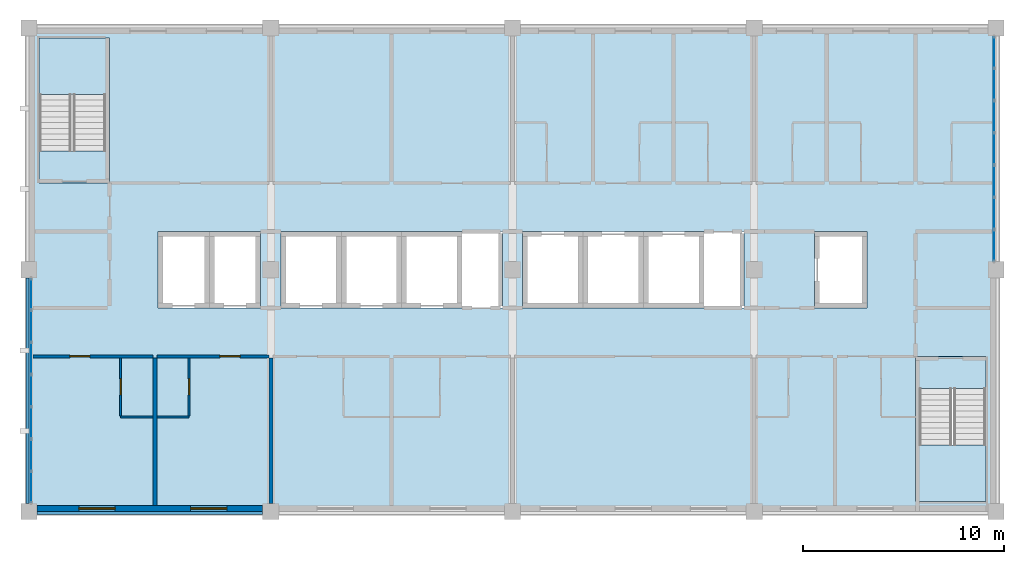
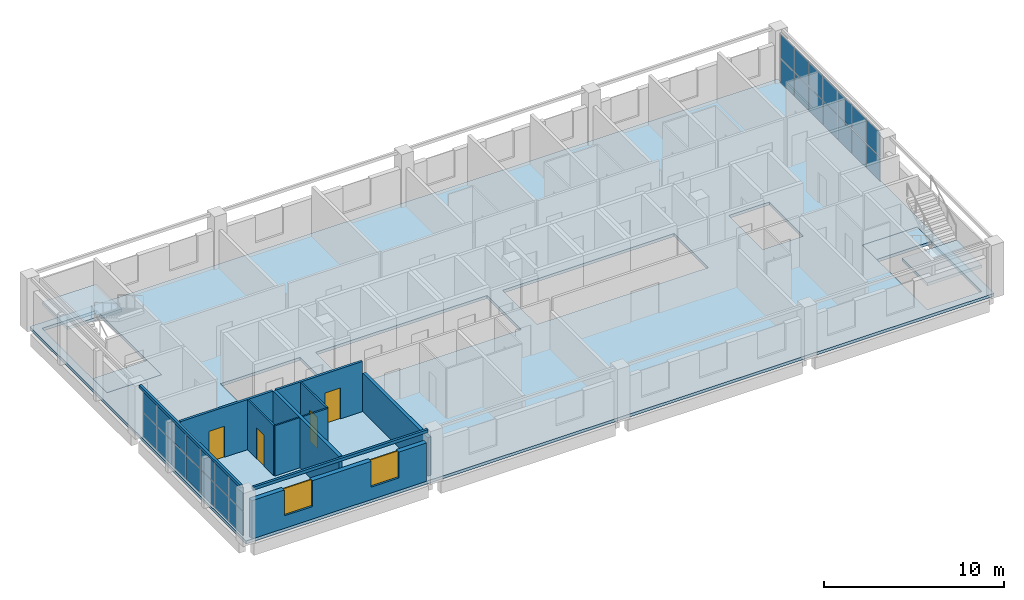
# One storey, part 5 of 11: 28 plates, 11 walls, 5 slabs, 4 doors, 2 windows, 6 openings, 4 elements without a shape of their own.
"""IFC4 building model written with IfcOpenShell, lengths in metres."""

from ifc_helpers import new_model, si_unit, direction, frame, frame_2d, origin, origin_2d, place, context, subcontext, project, spatial, polyline, rectangle, outline, extrude, material, layer, layer_set, type_object, element, fill, aggregate, save


model = new_model("IFC4")

# Units and contexts
model_context = context("Model", 3, precision=1e-05, world=origin(), true_north=direction((0.0, 1.0)))
body_context = subcontext(model_context, "Body", "Model", "MODEL_VIEW")
ifc_project = project(units=[si_unit("LENGTHUNIT", "METRE"), si_unit("AREAUNIT", "SQUARE_METRE"), si_unit("VOLUMEUNIT", "CUBIC_METRE"), si_unit("PLANEANGLEUNIT", "RADIAN"), si_unit("MASSUNIT", "GRAM", prefix="KILO")], contexts=[model_context])

# Site, building, storey
site_placement = place(None, origin())
site = spatial("IfcSite", under=ifc_project, at=site_placement, CompositionType="ELEMENT")
building_placement = place(site_placement, origin())
building = spatial("IfcBuilding", under=site, at=building_placement, Name="Lilac Gate Convention Centre", CompositionType="ELEMENT")
storey_placement = place(building_placement, frame((0.0, 0.0, 39.0)))
storey = spatial("IfcBuildingStorey", under=building, at=storey_placement, Name="L09", CompositionType="ELEMENT", Elevation=39.0)

# Curtain wall, plates
ifc_material_1 = material(Name="Aluminium framed double glazing", Category="aluminium")
ifc_layer_1 = layer(ifc_material_1, 0.199951171875)
ifc_layer_set_1 = layer_set([ifc_layer_1], Name="Aluminium framed double glazing")
curtain_wall_type = type_object("IfcCurtainWallType", Name="Unitised curtain wall 1500", PredefinedType="NOTDEFINED", material=ifc_layer_set_1)
curtain_wall_1_placement = place(storey_placement, origin())
curtain_wall_1 = element("IfcCurtainWall", 1, at=curtain_wall_1_placement, inside=storey, type_object=curtain_wall_type, Name="Curtain wall E L09 2", PredefinedType="NOTDEFINED")
ifc_material_2 = material(Name="Double glazed unit low emissivity")
ifc_layer_2 = layer(ifc_material_2, 0.028076171875)
ifc_layer_set_2 = layer_set([ifc_layer_2], Name="Double glazed unit low emissivity")
plate_type_1 = type_object("IfcPlateType", Name="Curtain wall glass panel 28", PredefinedType="CURTAIN_PANEL", material=ifc_layer_set_2)
plate_1_placement = place(storey_placement, frame((89.89990234375, 235.21484375, 1.72998046875), z_axis=(0.0, 0.0, 1.0), x_axis=(0.0, 1.0, 0.0)))
plate_1 = element("IfcPlate", 2, at=plate_1_placement, type_object=plate_type_1, Name="CW panel 1.2", PredefinedType="CURTAIN_PANEL", context=body_context, shape_type="SweptSolid", body=[
    extrude(rectangle(XDim=1.510009765625, YDim=0.028076171875, at=origin_2d()), origin(), (0.0, 0.0, 1.0), 1.60986328125),
])
plate_2_placement = place(storey_placement, frame((89.89990234375, 236.800048828125, 1.72998046875), z_axis=(0.0, 0.0, 1.0), x_axis=(0.0, 1.0, 0.0)))
plate_2 = element("IfcPlate", 3, at=plate_2_placement, type_object=plate_type_1, Name="CW panel 2.2", PredefinedType="CURTAIN_PANEL", context=body_context, shape_type="SweptSolid", body=[
    extrude(rectangle(XDim=1.5400390625, YDim=0.028076171875, at=origin_2d()), origin(), (0.0, 0.0, 1.0), 1.60986328125),
])
plate_3_placement = place(storey_placement, frame((89.89990234375, 238.39990234375, 1.72998046875), z_axis=(0.0, 0.0, 1.0), x_axis=(0.0, 1.0, 0.0)))
plate_3 = element("IfcPlate", 4, at=plate_3_placement, type_object=plate_type_1, Name="CW panel 3.2", PredefinedType="CURTAIN_PANEL", context=body_context, shape_type="SweptSolid", body=[
    extrude(rectangle(XDim=1.5400390625, YDim=0.028076171875, at=origin_2d()), origin(), (0.0, 0.0, 1.0), 1.60986328125),
])
plate_4_placement = place(storey_placement, frame((89.89990234375, 240.0, 1.72998046875), z_axis=(0.0, 0.0, 1.0), x_axis=(0.0, 1.0, 0.0)))
plate_4 = element("IfcPlate", 5, at=plate_4_placement, type_object=plate_type_1, Name="CW panel 4.2", PredefinedType="CURTAIN_PANEL", context=body_context, shape_type="SweptSolid", body=[
    extrude(rectangle(XDim=1.5400390625, YDim=0.028076171875, at=origin_2d()), origin(), (0.0, 0.0, 1.0), 1.60986328125),
])
plate_5_placement = place(storey_placement, frame((89.89990234375, 241.60009765625, 1.72998046875), z_axis=(0.0, 0.0, 1.0), x_axis=(0.0, 1.0, 0.0)))
plate_5 = element("IfcPlate", 6, at=plate_5_placement, type_object=plate_type_1, Name="CW panel 5.2", PredefinedType="CURTAIN_PANEL", context=body_context, shape_type="SweptSolid", body=[
    extrude(rectangle(XDim=1.5400390625, YDim=0.028076171875, at=origin_2d()), origin(), (0.0, 0.0, 1.0), 1.60986328125),
])
plate_6_placement = place(storey_placement, frame((89.89990234375, 243.199951171875, 1.72998046875), z_axis=(0.0, 0.0, 1.0), x_axis=(0.0, 1.0, 0.0)))
plate_6 = element("IfcPlate", 7, at=plate_6_placement, type_object=plate_type_1, Name="CW panel 6.2", PredefinedType="CURTAIN_PANEL", context=body_context, shape_type="SweptSolid", body=[
    extrude(rectangle(XDim=1.5400390625, YDim=0.028076171875, at=origin_2d()), origin(), (0.0, 0.0, 1.0), 1.60986328125),
])
plate_7_placement = place(storey_placement, frame((89.89990234375, 244.78515625, 1.72998046875), z_axis=(0.0, 0.0, 1.0), x_axis=(0.0, 1.0, 0.0)))
plate_7 = element("IfcPlate", 8, at=plate_7_placement, type_object=plate_type_1, Name="CW panel 7.2", PredefinedType="CURTAIN_PANEL", context=body_context, shape_type="SweptSolid", body=[
    extrude(rectangle(XDim=1.510009765625, YDim=0.028076171875, at=origin_2d()), origin(), (0.0, 0.0, 1.0), 1.60986328125),
])

curtain_wall_2_placement = place(storey_placement, origin())
curtain_wall_2 = element("IfcCurtainWall", 9, at=curtain_wall_2_placement, inside=storey, type_object=curtain_wall_type, Name="Curtain wall W L09 2", PredefinedType="NOTDEFINED")
plate_8_placement = place(storey_placement, frame((42.10009765625, 232.78515625, 1.72998046875), z_axis=(0.0, 0.0, 1.0), x_axis=(0.0, -1.0, 0.0)))
plate_8 = element("IfcPlate", 10, at=plate_8_placement, type_object=plate_type_1, Name="CW panel 1.2", PredefinedType="CURTAIN_PANEL", context=body_context, shape_type="SweptSolid", body=[
    extrude(rectangle(XDim=1.510009765625, YDim=0.028076171875, at=origin_2d()), origin(), (0.0, 0.0, 1.0), 1.60986328125),
])
plate_9_placement = place(storey_placement, frame((42.10009765625, 231.199951171875, 1.72998046875), z_axis=(0.0, 0.0, 1.0), x_axis=(0.0, -1.0, 0.0)))
plate_9 = element("IfcPlate", 11, at=plate_9_placement, type_object=plate_type_1, Name="CW panel 2.2", PredefinedType="CURTAIN_PANEL", context=body_context, shape_type="SweptSolid", body=[
    extrude(rectangle(XDim=1.5400390625, YDim=0.028076171875, at=origin_2d()), origin(), (0.0, 0.0, 1.0), 1.60986328125),
])
plate_10_placement = place(storey_placement, frame((42.10009765625, 229.60009765625, 1.72998046875), z_axis=(0.0, 0.0, 1.0), x_axis=(0.0, -1.0, 0.0)))
plate_10 = element("IfcPlate", 12, at=plate_10_placement, type_object=plate_type_1, Name="CW panel 3.2", PredefinedType="CURTAIN_PANEL", context=body_context, shape_type="SweptSolid", body=[
    extrude(rectangle(XDim=1.5400390625, YDim=0.028076171875, at=origin_2d()), origin(), (0.0, 0.0, 1.0), 1.60986328125),
])
plate_11_placement = place(storey_placement, frame((42.10009765625, 228.0, 1.72998046875), z_axis=(0.0, 0.0, 1.0), x_axis=(0.0, -1.0, 0.0)))
plate_11 = element("IfcPlate", 13, at=plate_11_placement, type_object=plate_type_1, Name="CW panel 4.2", PredefinedType="CURTAIN_PANEL", context=body_context, shape_type="SweptSolid", body=[
    extrude(rectangle(XDim=1.5400390625, YDim=0.028076171875, at=origin_2d()), origin(), (0.0, 0.0, 1.0), 1.60986328125),
])
plate_12_placement = place(storey_placement, frame((42.10009765625, 226.39990234375, 1.72998046875), z_axis=(0.0, 0.0, 1.0), x_axis=(0.0, -1.0, 0.0)))
plate_12 = element("IfcPlate", 14, at=plate_12_placement, type_object=plate_type_1, Name="CW panel 5.2", PredefinedType="CURTAIN_PANEL", context=body_context, shape_type="SweptSolid", body=[
    extrude(rectangle(XDim=1.5400390625, YDim=0.028076171875, at=origin_2d()), origin(), (0.0, 0.0, 1.0), 1.60986328125),
])
plate_13_placement = place(storey_placement, frame((42.10009765625, 224.800048828125, 1.72998046875), z_axis=(0.0, 0.0, 1.0), x_axis=(0.0, -1.0, 0.0)))
plate_13 = element("IfcPlate", 15, at=plate_13_placement, type_object=plate_type_1, Name="CW panel 6.2", PredefinedType="CURTAIN_PANEL", context=body_context, shape_type="SweptSolid", body=[
    extrude(rectangle(XDim=1.5400390625, YDim=0.028076171875, at=origin_2d()), origin(), (0.0, 0.0, 1.0), 1.60986328125),
])
plate_14_placement = place(storey_placement, frame((42.10009765625, 223.21484375, 1.72998046875), z_axis=(0.0, 0.0, 1.0), x_axis=(0.0, -1.0, 0.0)))
plate_14 = element("IfcPlate", 16, at=plate_14_placement, type_object=plate_type_1, Name="CW panel 7.2", PredefinedType="CURTAIN_PANEL", context=body_context, shape_type="SweptSolid", body=[
    extrude(rectangle(XDim=1.510009765625, YDim=0.028076171875, at=origin_2d()), origin(), (0.0, 0.0, 1.0), 1.60986328125),
])

# Plate
ifc_material_3 = material(Name="Insulated aluminium spandrel panel", Category="aluminium")
ifc_layer_3 = layer(ifc_material_3, 0.028076171875)
ifc_layer_set_3 = layer_set([ifc_layer_3], Name="Insulated aluminium spandrel panel")
plate_type_2 = type_object("IfcPlateType", Name="Curtain wall spandrel panel 28", PredefinedType="CURTAIN_PANEL", material=ifc_layer_set_3)
plate_15_placement = place(storey_placement, frame((89.89990234375, 235.21484375, 0.06005859375), z_axis=(0.0, 0.0, 1.0), x_axis=(0.0, 1.0, 0.0)))
plate_15 = element("IfcPlate", 17, at=plate_15_placement, type_object=plate_type_2, Name="CW spandrel 1.1", PredefinedType="CURTAIN_PANEL", context=body_context, shape_type="SweptSolid", body=[
    extrude(rectangle(XDim=1.510009765625, YDim=0.028076171875, at=origin_2d()), origin(), (0.0, 0.0, 1.0), 1.610107421875),
])

plate_16_placement = place(storey_placement, frame((89.89990234375, 236.800048828125, 0.06005859375), z_axis=(0.0, 0.0, 1.0), x_axis=(0.0, 1.0, 0.0)))
plate_16 = element("IfcPlate", 18, at=plate_16_placement, type_object=plate_type_2, Name="CW spandrel 2.1", PredefinedType="CURTAIN_PANEL", context=body_context, shape_type="SweptSolid", body=[
    extrude(rectangle(XDim=1.5400390625, YDim=0.028076171875, at=origin_2d()), origin(), (0.0, 0.0, 1.0), 1.610107421875),
])

plate_17_placement = place(storey_placement, frame((89.89990234375, 238.39990234375, 0.06005859375), z_axis=(0.0, 0.0, 1.0), x_axis=(0.0, 1.0, 0.0)))
plate_17 = element("IfcPlate", 19, at=plate_17_placement, type_object=plate_type_2, Name="CW spandrel 3.1", PredefinedType="CURTAIN_PANEL", context=body_context, shape_type="SweptSolid", body=[
    extrude(rectangle(XDim=1.5400390625, YDim=0.028076171875, at=origin_2d()), origin(), (0.0, 0.0, 1.0), 1.610107421875),
])

plate_18_placement = place(storey_placement, frame((89.89990234375, 240.0, 0.06005859375), z_axis=(0.0, 0.0, 1.0), x_axis=(0.0, 1.0, 0.0)))
plate_18 = element("IfcPlate", 20, at=plate_18_placement, type_object=plate_type_2, Name="CW spandrel 4.1", PredefinedType="CURTAIN_PANEL", context=body_context, shape_type="SweptSolid", body=[
    extrude(rectangle(XDim=1.5400390625, YDim=0.028076171875, at=origin_2d()), origin(), (0.0, 0.0, 1.0), 1.610107421875),
])

plate_19_placement = place(storey_placement, frame((89.89990234375, 241.60009765625, 0.06005859375), z_axis=(0.0, 0.0, 1.0), x_axis=(0.0, 1.0, 0.0)))
plate_19 = element("IfcPlate", 21, at=plate_19_placement, type_object=plate_type_2, Name="CW spandrel 5.1", PredefinedType="CURTAIN_PANEL", context=body_context, shape_type="SweptSolid", body=[
    extrude(rectangle(XDim=1.5400390625, YDim=0.028076171875, at=origin_2d()), origin(), (0.0, 0.0, 1.0), 1.610107421875),
])

plate_20_placement = place(storey_placement, frame((89.89990234375, 243.199951171875, 0.06005859375), z_axis=(0.0, 0.0, 1.0), x_axis=(0.0, 1.0, 0.0)))
plate_20 = element("IfcPlate", 22, at=plate_20_placement, type_object=plate_type_2, Name="CW spandrel 6.1", PredefinedType="CURTAIN_PANEL", context=body_context, shape_type="SweptSolid", body=[
    extrude(rectangle(XDim=1.5400390625, YDim=0.028076171875, at=origin_2d()), origin(), (0.0, 0.0, 1.0), 1.610107421875),
])

plate_21_placement = place(storey_placement, frame((89.89990234375, 244.78515625, 0.06005859375), z_axis=(0.0, 0.0, 1.0), x_axis=(0.0, 1.0, 0.0)))
plate_21 = element("IfcPlate", 23, at=plate_21_placement, type_object=plate_type_2, Name="CW spandrel 7.1", PredefinedType="CURTAIN_PANEL", context=body_context, shape_type="SweptSolid", body=[
    extrude(rectangle(XDim=1.510009765625, YDim=0.028076171875, at=origin_2d()), origin(), (0.0, 0.0, 1.0), 1.610107421875),
])

aggregate(curtain_wall_1, [plate_15, plate_1, plate_16, plate_2, plate_17, plate_3, plate_18, plate_4, plate_19, plate_5, plate_20, plate_6, plate_21, plate_7])

plate_22_placement = place(storey_placement, frame((42.10009765625, 232.78515625, 0.06005859375), z_axis=(0.0, 0.0, 1.0), x_axis=(0.0, -1.0, 0.0)))
plate_22 = element("IfcPlate", 24, at=plate_22_placement, type_object=plate_type_2, Name="CW spandrel 1.1", PredefinedType="CURTAIN_PANEL", context=body_context, shape_type="SweptSolid", body=[
    extrude(rectangle(XDim=1.510009765625, YDim=0.028076171875, at=origin_2d()), origin(), (0.0, 0.0, 1.0), 1.610107421875),
])

plate_23_placement = place(storey_placement, frame((42.10009765625, 231.199951171875, 0.06005859375), z_axis=(0.0, 0.0, 1.0), x_axis=(0.0, -1.0, 0.0)))
plate_23 = element("IfcPlate", 25, at=plate_23_placement, type_object=plate_type_2, Name="CW spandrel 2.1", PredefinedType="CURTAIN_PANEL", context=body_context, shape_type="SweptSolid", body=[
    extrude(rectangle(XDim=1.5400390625, YDim=0.028076171875, at=origin_2d()), origin(), (0.0, 0.0, 1.0), 1.610107421875),
])

plate_24_placement = place(storey_placement, frame((42.10009765625, 229.60009765625, 0.06005859375), z_axis=(0.0, 0.0, 1.0), x_axis=(0.0, -1.0, 0.0)))
plate_24 = element("IfcPlate", 26, at=plate_24_placement, type_object=plate_type_2, Name="CW spandrel 3.1", PredefinedType="CURTAIN_PANEL", context=body_context, shape_type="SweptSolid", body=[
    extrude(rectangle(XDim=1.5400390625, YDim=0.028076171875, at=origin_2d()), origin(), (0.0, 0.0, 1.0), 1.610107421875),
])

plate_25_placement = place(storey_placement, frame((42.10009765625, 228.0, 0.06005859375), z_axis=(0.0, 0.0, 1.0), x_axis=(0.0, -1.0, 0.0)))
plate_25 = element("IfcPlate", 27, at=plate_25_placement, type_object=plate_type_2, Name="CW spandrel 4.1", PredefinedType="CURTAIN_PANEL", context=body_context, shape_type="SweptSolid", body=[
    extrude(rectangle(XDim=1.5400390625, YDim=0.028076171875, at=origin_2d()), origin(), (0.0, 0.0, 1.0), 1.610107421875),
])

plate_26_placement = place(storey_placement, frame((42.10009765625, 226.39990234375, 0.06005859375), z_axis=(0.0, 0.0, 1.0), x_axis=(0.0, -1.0, 0.0)))
plate_26 = element("IfcPlate", 28, at=plate_26_placement, type_object=plate_type_2, Name="CW spandrel 5.1", PredefinedType="CURTAIN_PANEL", context=body_context, shape_type="SweptSolid", body=[
    extrude(rectangle(XDim=1.5400390625, YDim=0.028076171875, at=origin_2d()), origin(), (0.0, 0.0, 1.0), 1.610107421875),
])

plate_27_placement = place(storey_placement, frame((42.10009765625, 224.800048828125, 0.06005859375), z_axis=(0.0, 0.0, 1.0), x_axis=(0.0, -1.0, 0.0)))
plate_27 = element("IfcPlate", 29, at=plate_27_placement, type_object=plate_type_2, Name="CW spandrel 6.1", PredefinedType="CURTAIN_PANEL", context=body_context, shape_type="SweptSolid", body=[
    extrude(rectangle(XDim=1.5400390625, YDim=0.028076171875, at=origin_2d()), origin(), (0.0, 0.0, 1.0), 1.610107421875),
])

plate_28_placement = place(storey_placement, frame((42.10009765625, 223.21484375, 0.06005859375), z_axis=(0.0, 0.0, 1.0), x_axis=(0.0, -1.0, 0.0)))
plate_28 = element("IfcPlate", 30, at=plate_28_placement, type_object=plate_type_2, Name="CW spandrel 7.1", PredefinedType="CURTAIN_PANEL", context=body_context, shape_type="SweptSolid", body=[
    extrude(rectangle(XDim=1.510009765625, YDim=0.028076171875, at=origin_2d()), origin(), (0.0, 0.0, 1.0), 1.610107421875),
])

aggregate(curtain_wall_2, [plate_22, plate_8, plate_23, plate_9, plate_24, plate_10, plate_25, plate_11, plate_26, plate_12, plate_27, plate_13, plate_28, plate_14])

# Stair, slabs
ifc_material_4 = material(Name="Concrete C40", Category="concrete")
stair_type = type_object("IfcStairType", Name="Exit stair", PredefinedType="DOUBLE_RETURN_STAIR", material=ifc_material_4)
stair_1_placement = place(storey_placement, origin())
stair_1 = element("IfcStair", 31, at=stair_1_placement, inside=storey, type_object=stair_type, Name="Exit stair NW L09", PredefinedType="DOUBLE_RETURN_STAIR")
ifc_layer_4 = layer(ifc_material_4, 0.199951171875)
ifc_layer_set_4 = layer_set([ifc_layer_4], Name="Concrete C40")
slab_type_1 = type_object("IfcSlabType", Name="Exit stair landing", PredefinedType="LANDING", material=ifc_layer_set_4)
slab_1_placement = place(storey_placement, frame((0.0, 0.0, -0.199951171875)))
slab_1 = element("IfcSlab", 32, at=slab_1_placement, type_object=slab_type_1, Name="ST-NW landing 1", PredefinedType="LANDING", context=body_context, shape_type="SweptSolid", body=[
    extrude(outline(polyline([(42.5, 238.300048828125), (46.0, 238.300048828125), (46.0, 239.89990234375), (42.5, 239.89990234375), (42.5, 238.300048828125)])), origin(), (0.0, 0.0, 1.0), 0.199951171875),
])
slab_2_placement = place(storey_placement, frame((0.0, 0.0, 1.60009765625)))
slab_2 = element("IfcSlab", 33, at=slab_2_placement, type_object=slab_type_1, Name="ST-NW landing 2", PredefinedType="LANDING", context=body_context, shape_type="SweptSolid", body=[
    extrude(outline(polyline([(42.5, 242.699951171875), (46.0, 242.699951171875), (46.0, 245.5), (42.5, 245.5), (42.5, 242.699951171875)])), origin(), (0.0, 0.0, 1.0), 0.199951171875),
])
aggregate(stair_1, [slab_1, slab_2])

stair_2_placement = place(storey_placement, origin())
stair_2 = element("IfcStair", 34, at=stair_2_placement, inside=storey, type_object=stair_type, Name="Exit stair SE L09", PredefinedType="DOUBLE_RETURN_STAIR")
slab_3_placement = place(storey_placement, frame((0.0, 0.0, -0.199951171875)))
slab_3 = element("IfcSlab", 35, at=slab_3_placement, type_object=slab_type_1, Name="ST-SE landing 1", PredefinedType="LANDING", context=body_context, shape_type="SweptSolid", body=[
    extrude(outline(polyline([(86.0, 228.10009765625), (89.5, 228.10009765625), (89.5, 229.699951171875), (86.0, 229.699951171875), (86.0, 228.10009765625)])), origin(), (0.0, 0.0, 1.0), 0.199951171875),
])
slab_4_placement = place(storey_placement, frame((0.0, 0.0, 1.60009765625)))
slab_4 = element("IfcSlab", 36, at=slab_4_placement, type_object=slab_type_1, Name="ST-SE landing 2", PredefinedType="LANDING", context=body_context, shape_type="SweptSolid", body=[
    extrude(outline(polyline([(86.0, 222.5), (89.5, 222.5), (89.5, 225.300048828125), (86.0, 225.300048828125), (86.0, 222.5)])), origin(), (0.0, 0.0, 1.0), 0.199951171875),
])
aggregate(stair_2, [slab_3, slab_4])

# Slab
ifc_layer_5 = layer(ifc_material_4, 0.199951171875)
ifc_layer_set_5 = layer_set([ifc_layer_5], Name="Concrete C40")
slab_type_2 = type_object("IfcSlabType", Name="Floor slab 200 C40", PredefinedType="FLOOR", material=ifc_layer_set_5)
slab_5_placement = place(storey_placement, frame((0.0, 0.0, -0.199951171875)))
element("IfcSlab", 37, at=slab_5_placement, inside=storey, type_object=slab_type_2, Name="FS3 slab L09 1", PredefinedType="FLOOR", context=body_context, shape_type="SweptSolid", body=[
    extrude(outline(polyline([(42.0, 222.0), (42.0, 246.0), (90.0, 246.0), (90.0, 222.0), (42.0, 222.0)]), holes=[polyline([(48.39990234375, 235.89990234375), (48.39990234375, 232.10009765625), (50.949951171875, 232.10009765625), (53.5, 232.10009765625), (53.5, 235.89990234375), (50.949951171875, 235.89990234375), (48.39990234375, 235.89990234375)]), polyline([(57.5, 235.89990234375), (54.5, 235.89990234375), (54.5, 232.10009765625), (57.5, 232.10009765625), (60.5, 232.10009765625), (63.5, 232.10009765625), (65.5, 232.10009765625), (65.5, 235.89990234375), (63.5, 235.89990234375), (60.5, 235.89990234375), (57.5, 235.89990234375)]), polyline([(42.5, 245.5), (42.5, 238.300048828125), (46.0, 238.300048828125), (46.0, 245.5), (42.5, 245.5)]), polyline([(89.5, 229.699951171875), (86.0, 229.699951171875), (86.0, 222.5), (89.5, 222.5), (89.5, 229.699951171875)]), polyline([(69.5, 235.89990234375), (66.5, 235.89990234375), (66.5, 232.10009765625), (69.5, 232.10009765625), (72.5, 232.10009765625), (75.5, 232.10009765625), (77.5, 232.10009765625), (77.5, 235.89990234375), (75.5, 235.89990234375), (72.5, 235.89990234375), (69.5, 235.89990234375)]), polyline([(83.60009765625, 235.89990234375), (81.0, 235.89990234375), (81.0, 232.10009765625), (83.60009765625, 232.10009765625), (83.60009765625, 235.89990234375)])]), origin(), (0.0, 0.0, 1.0), 0.199951171875),
])

# Wall, opening, door
ifc_material_5 = material(Name="Gypsum board on steel stud", Category="steel")
ifc_layer_6 = layer(ifc_material_5, 0.14990234375)
ifc_layer_set_6 = layer_set([ifc_layer_6], Name="Gypsum board on steel stud")
wall_type_1 = type_object("IfcWallType", Name="Corridor wall 150", PredefinedType="PARTITIONING", material=ifc_layer_set_6)
wall_1_placement = place(storey_placement, frame((48.14990234375, 229.699951171875, 0.0), z_axis=(0.0, 0.0, 1.0), x_axis=(-1.0, 0.0, 0.0)))
wall_1 = element("IfcWall", 38, at=wall_1_placement, inside=storey, type_object=wall_type_1, Name="Corridor wall 150 front 0901", PredefinedType="PARTITIONING", context=body_context, shape_type="SweptSolid", body=[
    extrude(rectangle(XDim=5.94970703125, YDim=0.14990234375, at=frame_2d((2.974853515625, 0.0))), origin(), (0.0, 0.0, 1.0), 3.39990234375),
])
opening_1_placement = place(wall_1_placement, frame((3.125, 0.0, 0.0)))
opening_1 = element("IfcOpeningElement", 39, at=opening_1_placement, cuts=wall_1, Name="Opening T07-008", PredefinedType="OPENING", context=body_context, shape_type="SweptSolid", body=[
    extrude(rectangle(XDim=1.0, YDim=2.10009765625, at=frame_2d((0.5, 1.050048828125))), frame((0.0, 0.0849609375, 0.0), z_axis=(0.0, -1.0, 0.0), x_axis=(1.0, 0.0, 0.0)), (0.0, 0.0, 1.0), 0.169921875),
])
ifc_material_6 = material(Name="Timber", Category="wood")
door_type_1 = type_object("IfcDoorType", Name="Guest room entrance door 1000", OperationType="SINGLE_SWING_LEFT", PredefinedType="DOOR", material=ifc_material_6)
door_1_placement = place(opening_1_placement, origin())
door_1 = element("IfcDoor", 40, at=door_1_placement, inside=storey, type_object=door_type_1, Name="Guest room door 0901", OperationType="SINGLE_SWING_LEFT", OverallHeight=2.10009765625, OverallWidth=1.0, PredefinedType="DOOR", context=body_context, shape_type="SweptSolid", body=[
    extrude(rectangle(XDim=1.0, YDim=2.10009765625, at=frame_2d((0.5, 1.050048828125))), frame((0.0, 0.02490234375, 0.0), z_axis=(0.0, -1.0, 0.0), x_axis=(1.0, 0.0, 0.0)), (0.0, 0.0, 1.0), 0.050048828125),
])
fill(opening_1, door_1)

wall_2_placement = place(storey_placement, frame((53.89990234375, 229.699951171875, 0.0), z_axis=(0.0, 0.0, 1.0), x_axis=(-1.0, 0.0, 0.0)))
wall_2 = element("IfcWall", 41, at=wall_2_placement, inside=storey, type_object=wall_type_1, Name="Corridor wall 150 front 0902", PredefinedType="PARTITIONING", context=body_context, shape_type="SweptSolid", body=[
    extrude(rectangle(XDim=5.5498046875, YDim=0.14990234375, at=frame_2d((2.77490234375, 0.0))), origin(), (0.0, 0.0, 1.0), 3.39990234375),
])
opening_2_placement = place(wall_2_placement, frame((1.425048828125, 0.0, 0.0)))
opening_2 = element("IfcOpeningElement", 42, at=opening_2_placement, cuts=wall_2, Name="Opening T07-010", PredefinedType="OPENING", context=body_context, shape_type="SweptSolid", body=[
    extrude(rectangle(XDim=1.0, YDim=2.10009765625, at=frame_2d((0.5, 1.050048828125))), frame((0.0, 0.0849609375, 0.0), z_axis=(0.0, -1.0, 0.0), x_axis=(1.0, 0.0, 0.0)), (0.0, 0.0, 1.0), 0.169921875),
])
door_2_placement = place(opening_2_placement, origin())
door_2 = element("IfcDoor", 43, at=door_2_placement, inside=storey, type_object=door_type_1, Name="Guest room door 0902", OperationType="SINGLE_SWING_LEFT", OverallHeight=2.10009765625, OverallWidth=1.0, PredefinedType="DOOR", context=body_context, shape_type="SweptSolid", body=[
    extrude(rectangle(XDim=1.0, YDim=2.10009765625, at=frame_2d((0.5, 1.050048828125))), frame((0.0, 0.02490234375, 0.0), z_axis=(0.0, -1.0, 0.0), x_axis=(1.0, 0.0, 0.0)), (0.0, 0.0, 1.0), 0.050048828125),
])
fill(opening_2, door_2)

# Wall
ifc_layer_7 = layer(ifc_material_5, 0.10009765625)
ifc_layer_set_7 = layer_set([ifc_layer_7], Name="Gypsum board on steel stud")
wall_type_2 = type_object("IfcWallType", Name="En-suite wall 100", PredefinedType="PARTITIONING", material=ifc_layer_set_7)
wall_3_placement = place(storey_placement, frame((46.550048828125, 226.699951171875, 0.0), z_axis=(0.0, 0.0, 1.0), x_axis=(1.0, 0.0, 0.0)))
element("IfcWall", 44, at=wall_3_placement, inside=storey, type_object=wall_type_2, Name="En-suite wall 100 bath 0901", PredefinedType="PARTITIONING", context=body_context, shape_type="SweptSolid", body=[
    extrude(rectangle(XDim=1.599853515625, YDim=0.10009765625, at=frame_2d((0.7998046875, 0.0))), origin(), (0.0, 0.0, 1.0), 3.39990234375),
])

# Wall, opening, door
wall_4_placement = place(storey_placement, frame((46.550048828125, 226.75, 0.0), z_axis=(0.0, 0.0, 1.0), x_axis=(0.0, 1.0, 0.0)))
wall_4 = element("IfcWall", 45, at=wall_4_placement, inside=storey, type_object=wall_type_2, Name="En-suite wall 100 bath side 0901", PredefinedType="PARTITIONING", context=body_context, shape_type="SweptSolid", body=[
    extrude(rectangle(XDim=2.875, YDim=0.10009765625, at=frame_2d((1.4375, 0.0))), origin(), (0.0, 0.0, 1.0), 3.39990234375),
])
opening_3_placement = place(wall_4_placement, frame((1.03759765625, 0.0, 0.0)))
opening_3 = element("IfcOpeningElement", 46, at=opening_3_placement, cuts=wall_4, Name="Opening T07-009", PredefinedType="OPENING", context=body_context, shape_type="SweptSolid", body=[
    extrude(rectangle(XDim=0.800048828125, YDim=2.10009765625, at=frame_2d((0.39990234375, 1.050048828125))), frame((0.0, 0.06005859375, 0.0), z_axis=(0.0, -1.0, 0.0), x_axis=(1.0, 0.0, 0.0)), (0.0, 0.0, 1.0), 0.1201171875),
])
door_type_2 = type_object("IfcDoorType", Name="En-suite door 800", OperationType="SINGLE_SWING_LEFT", PredefinedType="DOOR", material=ifc_material_6)
door_3_placement = place(opening_3_placement, origin())
door_3 = element("IfcDoor", 47, at=door_3_placement, inside=storey, type_object=door_type_2, Name="En-suite door 0901", OperationType="SINGLE_SWING_RIGHT", OverallHeight=2.10009765625, OverallWidth=0.800048828125, PredefinedType="DOOR", context=body_context, shape_type="SweptSolid", body=[
    extrude(rectangle(XDim=0.800048828125, YDim=2.10009765625, at=frame_2d((0.39990234375, 1.050048828125))), frame((0.0, 0.02490234375, 0.0), z_axis=(0.0, -1.0, 0.0), x_axis=(1.0, 0.0, 0.0)), (0.0, 0.0, 1.0), 0.050048828125),
])
fill(opening_3, door_3)

# Wall
wall_5_placement = place(storey_placement, frame((48.35009765625, 226.699951171875, 0.0), z_axis=(0.0, 0.0, 1.0), x_axis=(1.0, 0.0, 0.0)))
element("IfcWall", 48, at=wall_5_placement, inside=storey, type_object=wall_type_2, Name="En-suite wall 100 bath 0902", PredefinedType="PARTITIONING", context=body_context, shape_type="SweptSolid", body=[
    extrude(rectangle(XDim=1.599853515625, YDim=0.10009765625, at=frame_2d((0.7998046875, 0.0))), origin(), (0.0, 0.0, 1.0), 3.39990234375),
])

# Wall, opening, door
wall_6_placement = place(storey_placement, frame((49.949951171875, 229.625, 0.0), z_axis=(0.0, 0.0, 1.0), x_axis=(0.0, -1.0, 0.0)))
wall_6 = element("IfcWall", 49, at=wall_6_placement, inside=storey, type_object=wall_type_2, Name="En-suite wall 100 bath side 0902", PredefinedType="PARTITIONING", context=body_context, shape_type="SweptSolid", body=[
    extrude(rectangle(XDim=2.875, YDim=0.10009765625, at=frame_2d((1.4375, 0.0))), origin(), (0.0, 0.0, 1.0), 3.39990234375),
])
opening_4_placement = place(wall_6_placement, frame((1.03759765625, 0.0, 0.0)))
opening_4 = element("IfcOpeningElement", 50, at=opening_4_placement, cuts=wall_6, Name="Opening T07-011", PredefinedType="OPENING", context=body_context, shape_type="SweptSolid", body=[
    extrude(rectangle(XDim=0.800048828125, YDim=2.10009765625, at=frame_2d((0.39990234375, 1.050048828125))), frame((0.0, 0.06005859375, 0.0), z_axis=(0.0, -1.0, 0.0), x_axis=(1.0, 0.0, 0.0)), (0.0, 0.0, 1.0), 0.1201171875),
])
door_4_placement = place(opening_4_placement, origin())
door_4 = element("IfcDoor", 51, at=door_4_placement, inside=storey, type_object=door_type_2, Name="En-suite door 0902", OperationType="SINGLE_SWING_LEFT", OverallHeight=2.10009765625, OverallWidth=0.800048828125, PredefinedType="DOOR", context=body_context, shape_type="SweptSolid", body=[
    extrude(rectangle(XDim=0.800048828125, YDim=2.10009765625, at=frame_2d((0.39990234375, 1.050048828125))), frame((0.0, 0.02490234375, 0.0), z_axis=(0.0, -1.0, 0.0), x_axis=(1.0, 0.0, 0.0)), (0.0, 0.0, 1.0), 0.050048828125),
])
fill(opening_4, door_4)

# Walls
ifc_layer_8 = layer(ifc_material_5, 0.199951171875)
ifc_layer_set_8 = layer_set([ifc_layer_8], Name="Gypsum board on steel stud")
wall_type_3 = type_object("IfcWallType", Name="Guest room party wall 200", PredefinedType="PARTITIONING", material=ifc_layer_set_8)
wall_7_placement = place(storey_placement, frame((48.25, 222.2998046875, 0.0), z_axis=(0.0, 0.0, 1.0), x_axis=(0.0, 1.0, 0.0)))
element("IfcWall", 52, at=wall_7_placement, inside=storey, type_object=wall_type_3, Name="Guest room party wall 200 party 48.25", PredefinedType="PARTITIONING", context=body_context, shape_type="SweptSolid", body=[
    extrude(rectangle(XDim=7.3251953125, YDim=0.199951171875, at=frame_2d((3.66259765625, 0.0))), origin(), (0.0, 0.0, 1.0), 3.39990234375),
])
wall_8_placement = place(storey_placement, frame((54.0, 222.39990234375, 0.0), z_axis=(0.0, 0.0, 1.0), x_axis=(0.0, 1.0, 0.0)))
element("IfcWall", 53, at=wall_8_placement, inside=storey, type_object=wall_type_3, Name="Guest room party wall 200 party 54.0", PredefinedType="PARTITIONING", context=body_context, shape_type="SweptSolid", body=[
    extrude(rectangle(XDim=7.22509765625, YDim=0.199951171875, at=frame_2d((3.612548828125, 0.0))), origin(), (0.0, 0.0, 1.0), 2.60009765625),
])
ifc_material_7 = material(Name="Concrete C40 precast", Category="concrete")
ifc_layer_9 = layer(ifc_material_7, 0.1298828125)
ifc_material_8 = material(Name="Terracotta glazed cladding", Category="masonry")
ifc_layer_10 = layer(ifc_material_8, 0.02001953125)
ifc_layer_set_9 = layer_set([ifc_layer_9, ifc_layer_10], Name="Concrete C40 precast, Terracotta glazed cladding")
wall_type_4 = type_object("IfcWallType", Name="Precast band terracotta 150", PredefinedType="STANDARD", material=ifc_layer_set_9)
for number, where, z_axis, x_axis, name in (
    (54, (42.39990234375, 221.925048828125, 3.39990234375), (0.0, 0.0, 1.0), (1.0, 0.0, 0.0), "Precast band S L09 1"),
    (55, (41.925048828125, 233.60009765625, 3.39990234375), (0.0, 0.0, 1.0), (0.0, -1.0, 0.0), "Precast band W L09 2"),
):
    element("IfcWall", number, at=place(storey_placement, frame(where, z_axis=z_axis, x_axis=x_axis)), inside=storey, type_object=wall_type_4, Name=name, PredefinedType="STANDARD", context=body_context, shape_type="SweptSolid", body=[
        extrude(rectangle(XDim=11.2001953125, YDim=0.14990234375, at=frame_2d((5.60009765625, 0.0))), origin(), (0.0, 0.0, 1.0), 0.2001953125),
    ])

# Wall, openings, windows
ifc_layer_11 = layer(ifc_material_8, 0.02001953125)
ifc_layer_12 = layer(ifc_material_7, 0.06005859375)
ifc_material_9 = material(Name="Ventilated air cavity")
ifc_layer_13 = layer(ifc_material_9, 0.030029296875)
ifc_material_10 = material(Name="Mineral wool insulation")
ifc_layer_14 = layer(ifc_material_10, 0.1201171875)
ifc_material_11 = material(Name="Steel stud Q345 and gypsum lining", Category="steel")
ifc_layer_15 = layer(ifc_material_11, 0.070068359375)
ifc_layer_set_10 = layer_set([ifc_layer_11, ifc_layer_12, ifc_layer_13, ifc_layer_14, ifc_layer_15], Name="Terracotta glazed cladding, Concrete C40 precast, Ventilated air cavity, Mineral wool insulation, Steel stud Q345 and gypsum lining")
wall_type_5 = type_object("IfcWallType", Name="Precast panel wall terracotta 300", PredefinedType="STANDARD", material=ifc_layer_set_10)
wall_9_placement = place(storey_placement, frame((42.39990234375, 222.14990234375, 0.0), z_axis=(0.0, 0.0, 1.0), x_axis=(1.0, 0.0, 0.0)))
wall_9 = element("IfcWall", 56, at=wall_9_placement, inside=storey, type_object=wall_type_5, Name="External wall S L09 1", PredefinedType="STANDARD", context=body_context, shape_type="SweptSolid", body=[
    extrude(rectangle(XDim=11.2001953125, YDim=0.300048828125, at=frame_2d((5.60009765625, 0.0))), origin(), (0.0, 0.0, 1.0), 2.60009765625),
])
opening_5_placement = place(wall_9_placement, frame((2.074951171875, 0.0, 0.85009765625)))
opening_5 = element("IfcOpeningElement", 57, at=opening_5_placement, cuts=wall_9, Name="Opening W1", PredefinedType="OPENING", context=body_context, shape_type="SweptSolid", body=[
    extrude(rectangle(XDim=1.800048828125, YDim=1.75, at=frame_2d((0.89990234375, 0.875))), frame((0.0, 0.159912109375, 0.0), z_axis=(0.0, -1.0, 0.0), x_axis=(1.0, 0.0, 0.0)), (0.0, 0.0, 1.0), 0.320068359375),
])
opening_6_placement = place(wall_9_placement, frame((7.625, 0.0, 0.85009765625)))
opening_6 = element("IfcOpeningElement", 58, at=opening_6_placement, cuts=wall_9, Name="Opening W1", PredefinedType="OPENING", context=body_context, shape_type="SweptSolid", body=[
    extrude(rectangle(XDim=1.800048828125, YDim=1.75, at=frame_2d((0.89990234375, 0.875))), frame((0.0, 0.159912109375, 0.0), z_axis=(0.0, -1.0, 0.0), x_axis=(1.0, 0.0, 0.0)), (0.0, 0.0, 1.0), 0.320068359375),
])
window_type = type_object("IfcWindowType", Name="Guest room window 1800 x 1750", PartitioningType="DOUBLE_PANEL_VERTICAL", PredefinedType="WINDOW", material=ifc_material_1)
window_1_placement = place(opening_5_placement, origin())
window_1 = element("IfcWindow", 59, at=window_1_placement, inside=storey, type_object=window_type, Name="Window Guest S L09", OverallHeight=1.75, OverallWidth=1.800048828125, PartitioningType="SINGLE_PANEL", PredefinedType="WINDOW", context=body_context, shape_type="SweptSolid", body=[
    extrude(rectangle(XDim=1.800048828125, YDim=1.75, at=frame_2d((0.89990234375, 0.875))), frame((0.0, 0.030029296875, 0.0), z_axis=(0.0, -1.0, 0.0), x_axis=(1.0, 0.0, 0.0)), (0.0, 0.0, 1.0), 0.06005859375),
])
fill(opening_5, window_1)
window_2_placement = place(opening_6_placement, origin())
window_2 = element("IfcWindow", 60, at=window_2_placement, inside=storey, type_object=window_type, Name="Window Guest S L09", OverallHeight=1.75, OverallWidth=1.800048828125, PartitioningType="SINGLE_PANEL", PredefinedType="WINDOW", context=body_context, shape_type="SweptSolid", body=[
    extrude(rectangle(XDim=1.800048828125, YDim=1.75, at=frame_2d((0.89990234375, 0.875))), frame((0.0, 0.030029296875, 0.0), z_axis=(0.0, -1.0, 0.0), x_axis=(1.0, 0.0, 0.0)), (0.0, 0.0, 1.0), 0.06005859375),
])
fill(opening_6, window_2)

save(model, "model.ifc")
